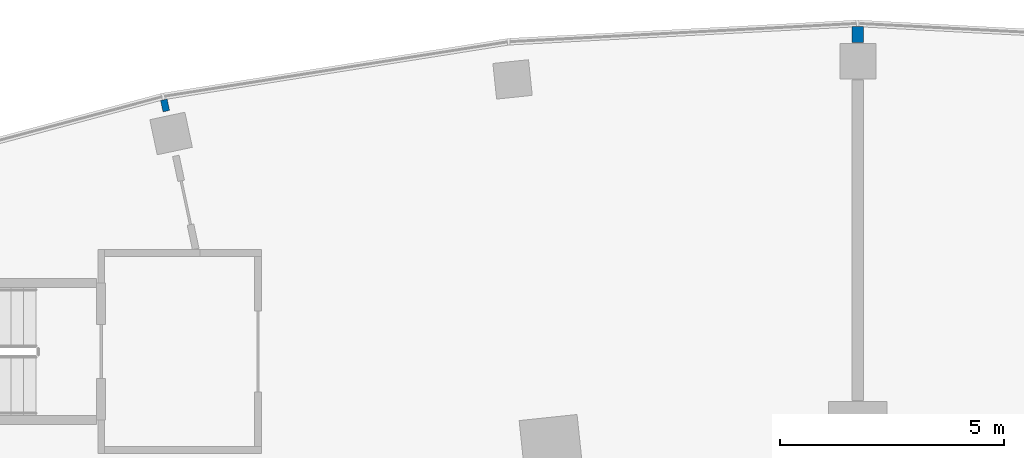
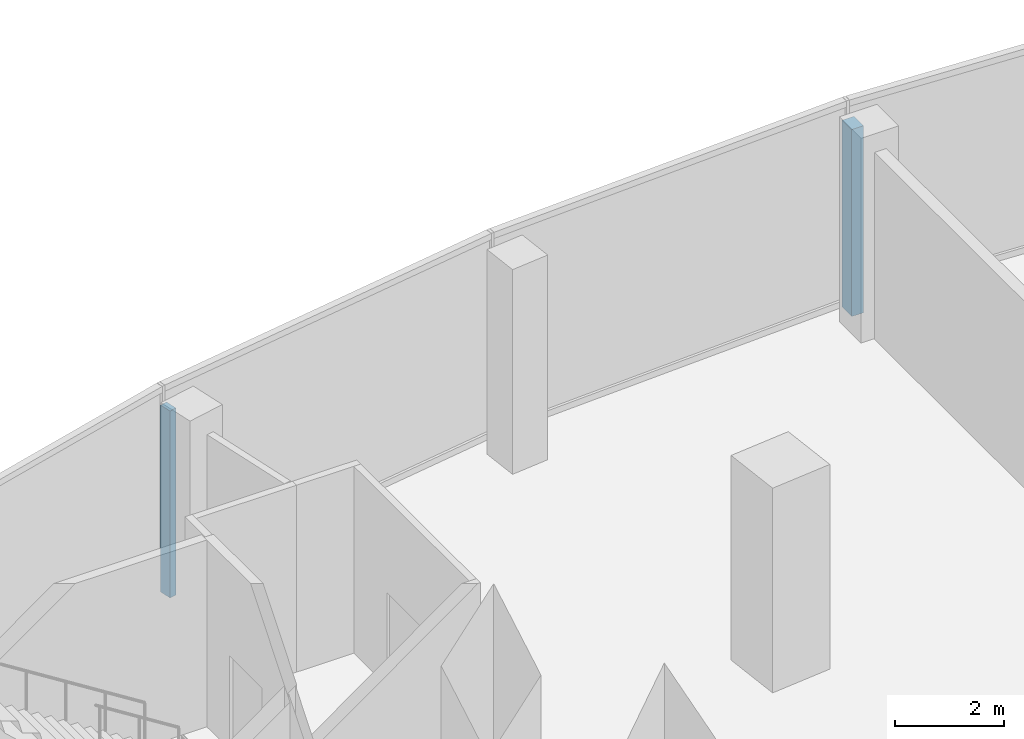
# One storey, part 29 of 40: 2 walls.
"""IFC4 building model written with IfcOpenShell, lengths in metres."""

from ifc_helpers import new_model, si_unit, direction, frame, frame_2d, origin, place, context, subcontext, project, spatial, rectangle, extrude, material, layer, layer_set, type_object, element, save


model = new_model("IFC4")

# Units and contexts
model_context = context("Model", 3, precision=1e-05, world=origin(), true_north=direction((0.0, 1.0)))
body_context = subcontext(model_context, "Body", "Model", "MODEL_VIEW")
ifc_project = project(units=[si_unit("LENGTHUNIT", "METRE"), si_unit("AREAUNIT", "SQUARE_METRE"), si_unit("VOLUMEUNIT", "CUBIC_METRE"), si_unit("PLANEANGLEUNIT", "RADIAN"), si_unit("MASSUNIT", "GRAM", prefix="KILO")], contexts=[model_context])

# Site, building, storey
site_placement = place(None, origin())
site = spatial("IfcSite", under=ifc_project, at=site_placement, CompositionType="ELEMENT")
building_placement = place(site_placement, origin())
building = spatial("IfcBuilding", under=site, at=building_placement, Name="Stone Belt Terrace Tower", CompositionType="ELEMENT")
storey_placement = place(building_placement, frame((0.0, 0.0, 11.60009765625)))
storey = spatial("IfcBuildingStorey", under=building, at=storey_placement, Name="L02", CompositionType="ELEMENT", Elevation=11.60009765625)

# Walls
ifc_material_1 = material(Name="Fire-resistant glazing in steel frame", Category="steel")
ifc_layer_1 = layer(ifc_material_1, 0.25)
ifc_layer_set_1 = layer_set([ifc_layer_1], Name="Glazed compartment fire screen 250")
wall_type_1 = type_object("IfcWallType", Name="Glazed compartment fire screen 250", PredefinedType="PARTITIONING", material=ifc_layer_set_1)
wall_1_placement = place(storey_placement, frame((0.0, 74.14794921875, 0.0), z_axis=(0.0, 0.0, 1.0), x_axis=(0.0, 1.0, 0.0)))
element("IfcWall", 1, at=wall_1_placement, inside=storey, type_object=wall_type_1, Name="Compartment fire screen L02 6", PredefinedType="PARTITIONING", context=body_context, shape_type="SweptSolid", body=[
    extrude(rectangle(XDim=0.35205078125, YDim=0.25, at=frame_2d((0.176025390625, 0.0))), origin(), (0.0, 0.0, 1.0), 4.199951171875),
])
ifc_material_2 = material(Name="Gypsum board on steel stud partition", Category="steel")
ifc_layer_2 = layer(ifc_material_2, 0.14990234375)
ifc_layer_set_2 = layer_set([ifc_layer_2], Name="Podium partition 150")
wall_type_2 = type_object("IfcWallType", Name="Podium partition 150", PredefinedType="PARTITIONING", material=ifc_layer_set_2)
wall_2_placement = place(storey_placement, frame((-15.489990234375, 72.8701171875, 0.0), z_axis=(0.0, 0.0, 1.0), x_axis=(0.208183997214, -0.978089680604, 0.0)))
element("IfcWall", 2, at=wall_2_placement, inside=storey, type_object=wall_type_2, Name="Podium partition 150", PredefinedType="PARTITIONING", context=body_context, shape_type="SweptSolid", body=[
    extrude(rectangle(XDim=0.26025390625, YDim=0.14990234375, at=frame_2d((0.130126953125, 0.0))), origin(), (0.0, 0.0, 1.0), 4.199951171875),
])

save(model, "model.ifc")
